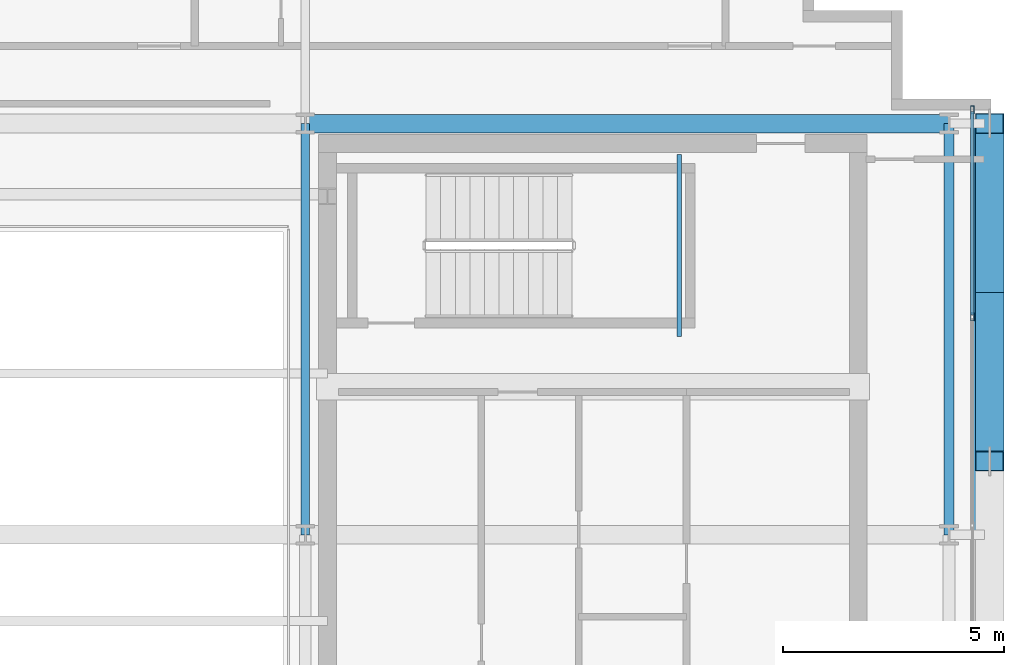
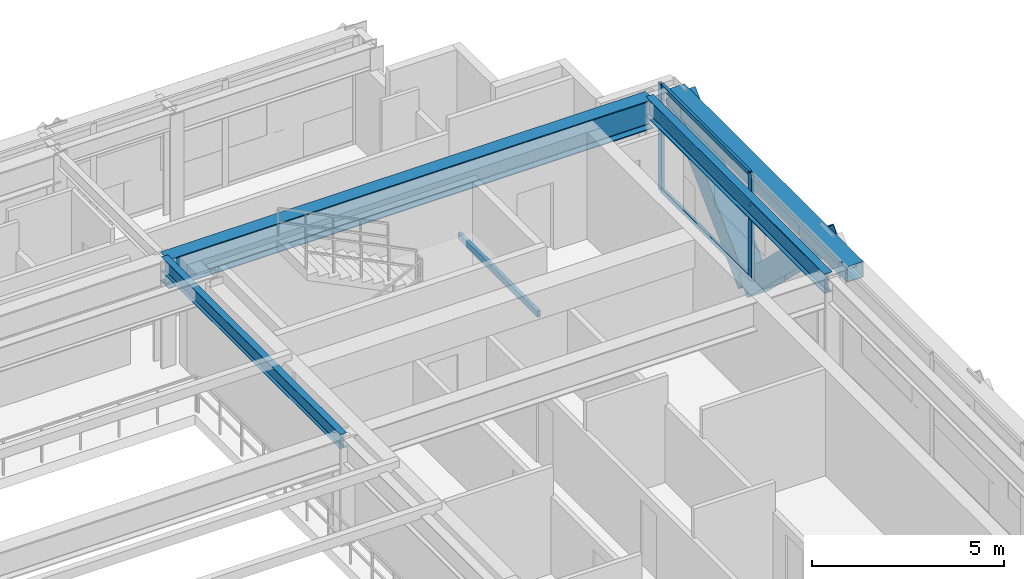
# One storey, part 14 of 29: 7 members, 5 beams, 1 element without a shape of its own.
"""IFC4 building model written with IfcOpenShell, lengths in metres."""

from ifc_helpers import new_model, si_unit, direction, frame, origin, origin_2d, place, context, subcontext, project, spatial, hollow_rectangle, i_section, extrude, source, transform, mapped, material, layer, layer_set, material_profile, profile_set, type_object, element, aggregate, save


model = new_model("IFC4")

# Units and contexts
model_context = context("Model", 3, precision=1e-05, world=origin(), true_north=direction((0.0, 1.0)))
body_context = subcontext(model_context, "Body", "Model", "MODEL_VIEW")
ifc_project = project(units=[si_unit("LENGTHUNIT", "METRE"), si_unit("AREAUNIT", "SQUARE_METRE"), si_unit("VOLUMEUNIT", "CUBIC_METRE"), si_unit("PLANEANGLEUNIT", "RADIAN"), si_unit("MASSUNIT", "GRAM", prefix="KILO")], contexts=[model_context])

# Site, building, storey
site_placement = place(None, origin())
site = spatial("IfcSite", under=ifc_project, at=site_placement, CompositionType="ELEMENT")
building_placement = place(site_placement, origin())
building = spatial("IfcBuilding", under=site, at=building_placement, Name="Ocotamira Hotel", CompositionType="ELEMENT")
storey_placement = place(building_placement, frame((0.0, 0.0, 247.199951171875)))
storey = spatial("IfcBuildingStorey", under=building, at=storey_placement, Name="L62", CompositionType="ELEMENT", Elevation=247.199951171875)

# Beams
ifc_material_1 = material(Name="Steel ASTM A500 Grade C", Category="steel")
ifc_material_profile_1 = material_profile(ifc_material_1, hollow_rectangle(XDim=0.10009765625, YDim=0.199951171875, WallThickness=0.008056640625, at=origin_2d()), Name="HSS200X100X8")
ifc_profile_set_1 = profile_set([ifc_material_profile_1], Name="Steel ASTM A500 Grade C")
beam_type_1 = type_object("IfcBeamType", Name="BM-STLDG-HSS200", PredefinedType="BEAM", material=ifc_profile_set_1)
shared_shape_1 = source(origin(), body_context, "Body", "SweptSolid", [
    extrude(hollow_rectangle(XDim=0.10009765625, YDim=0.199951171875, WallThickness=0.008056640625, at=origin_2d()), origin(), (0.0, 0.0, 1.0), 4.1201171875),
])
beam_1_placement = place(storey_placement, frame((48.949951171875, 32.6298828125, 1.5), z_axis=(0.0, 1.0, 0.0), x_axis=(-1.0, 0.0, 0.0)))
element("IfcBeam", 1, at=beam_1_placement, inside=storey, type_object=beam_type_1, Name="L62 Stair ST-4 Landing Bearer 1", PredefinedType="BEAM", context=body_context, shape_type="MappedRepresentation", body=[
    mapped(shared_shape_1, transform((0.0, 0.0, 0.0), scale=1.0)),
])
ifc_material_2 = material(Name="Steel ASTM A992 Grade 50", Category="steel")
ifc_material_profile_2 = material_profile(ifc_material_2, i_section(OverallWidth=0.41796875, OverallDepth=0.927001953125, WebThickness=0.019287109375, FlangeThickness=0.031982421875, FilletRadius=0.02392578125, at=origin_2d()), Name="W36X231")
ifc_profile_set_2 = profile_set([ifc_material_profile_2], Name="Steel ASTM A992 Grade 50")
beam_type_2 = type_object("IfcBeamType", Name="BM-GIRD-W36X231", PredefinedType="BEAM", material=ifc_profile_set_2)
shared_shape_2 = source(origin(), body_context, "Body", "SweptSolid", [
    extrude(i_section(OverallWidth=0.41796875, OverallDepth=0.927001953125, WebThickness=0.019287109375, FlangeThickness=0.031982421875, FilletRadius=0.02392578125, at=origin_2d()), origin(), (0.0, 0.0, 1.0), 14.550048828125),
])
beam_2_placement = place(storey_placement, frame((40.5, 37.449951171875, 2.91650390625), z_axis=(1.0, 0.0, 0.0), x_axis=(0.0, 1.0, 0.0)))
element("IfcBeam", 2, at=beam_2_placement, inside=storey, type_object=beam_type_2, Name="L62 Girder Y37.45 X40.5-55.05", PredefinedType="BEAM", context=body_context, shape_type="MappedRepresentation", body=[
    mapped(shared_shape_2, transform((0.0, 0.0, 0.0), scale=1.0)),
])
ifc_material_profile_3 = material_profile(ifc_material_2, i_section(OverallWidth=0.22998046875, OverallDepth=0.616943359375, WebThickness=0.01318359375, FlangeThickness=0.022216796875, FilletRadius=0.012939453125, at=origin_2d()), Name="W24X94")
ifc_profile_set_3 = profile_set([ifc_material_profile_3], Name="Steel ASTM A992 Grade 50")
beam_type_3 = type_object("IfcBeamType", Name="BM-PRIM-W24X94", PredefinedType="BEAM", material=ifc_profile_set_3)
shared_shape_3 = source(origin(), body_context, "Body", "SweptSolid", [
    extrude(i_section(OverallWidth=0.22998046875, OverallDepth=0.616943359375, WebThickness=0.01318359375, FlangeThickness=0.022216796875, FilletRadius=0.012939453125, at=origin_2d()), origin(), (0.0, 0.0, 1.0), 9.300048828125),
])
beam_3_placement = place(storey_placement, frame((55.050048828125, 28.14990234375, 3.071533203125), z_axis=(0.0, 1.0, 0.0), x_axis=(-1.0, 0.0, 0.0)))
element("IfcBeam", 3, at=beam_3_placement, inside=storey, type_object=beam_type_3, Name="L62 Beam X55.05 Y28.15-37.45", PredefinedType="BEAM", context=body_context, shape_type="MappedRepresentation", body=[
    mapped(shared_shape_3, transform((0.0, 0.0, 0.0), scale=1.0)),
])
ifc_material_profile_4 = material_profile(ifc_material_2, i_section(OverallWidth=0.18994140625, OverallDepth=0.45703125, WebThickness=0.009033203125, FlangeThickness=0.014404296875, FilletRadius=0.010009765625, at=origin_2d()), Name="W18X50")
ifc_profile_set_4 = profile_set([ifc_material_profile_4], Name="Steel ASTM A992 Grade 50")
beam_type_4 = type_object("IfcBeamType", Name="BM-SEC-W18X50", PredefinedType="JOIST", material=ifc_profile_set_4)
shared_shape_4 = source(origin(), body_context, "Body", "SweptSolid", [
    extrude(i_section(OverallWidth=0.18994140625, OverallDepth=0.45703125, WebThickness=0.009033203125, FlangeThickness=0.014404296875, FilletRadius=0.010009765625, at=origin_2d()), origin(), (0.0, 0.0, 1.0), 9.300048828125),
])
beam_4_placement = place(storey_placement, frame((40.5, 28.14990234375, 3.151611328125), z_axis=(0.0, 1.0, 0.0), x_axis=(-1.0, 0.0, 0.0)))
element("IfcBeam", 4, at=beam_4_placement, inside=storey, type_object=beam_type_4, Name="L62 Beam X40.5 Y28.15-37.45", PredefinedType="JOIST", context=body_context, shape_type="MappedRepresentation", body=[
    mapped(shared_shape_4, transform((0.0, 0.0, 0.0), scale=1.0)),
])
ifc_material_profile_5 = material_profile(ifc_material_1, hollow_rectangle(XDim=0.5, YDim=0.5, WallThickness=0.02001953125, at=origin_2d()), Name="HSS500X500X20")
ifc_profile_set_5 = profile_set([ifc_material_profile_5], Name="Steel ASTM A500 Grade C")
beam_type_5 = type_object("IfcBeamType", Name="BM-SPAN-HSS500", PredefinedType="USERDEFINED", material=ifc_profile_set_5)
shared_shape_5 = source(origin(), body_context, "Body", "SweptSolid", [
    extrude(hollow_rectangle(XDim=0.5, YDim=0.5, WallThickness=0.02001953125, at=origin_2d()), origin(), (0.0, 0.0, 1.0), 9.300048828125),
])
beam_5_placement = place(storey_placement, frame((55.85009765625, 28.14990234375, 3.130126953125), z_axis=(0.0, 1.0, 0.0), x_axis=(-1.0, 0.0, 0.0)))
element("IfcBeam", 5, at=beam_5_placement, inside=storey, type_object=beam_type_5, Name="L62 Edge Spandrel E Y28.15-37.45", ObjectType="SPANDREL", PredefinedType="USERDEFINED", context=body_context, shape_type="MappedRepresentation", body=[
    mapped(shared_shape_5, transform((0.0, 0.0, 0.0), scale=1.0)),
])

# Members
ifc_material_3 = material(Name="Pale-metal coated steel ASTM A913 Grade 65", Category="steel")
ifc_material_profile_6 = material_profile(ifc_material_3, hollow_rectangle(XDim=0.64990234375, YDim=0.64990234375, WallThickness=0.02197265625, at=origin_2d()), Name="BOX650X650X22")
ifc_profile_set_6 = profile_set([ifc_material_profile_6], Name="Pale-metal coated steel ASTM A913 Grade 65")
member_type_1 = type_object("IfcMemberType", Name="MEM-EXO-BOX650", PredefinedType="BRACE", material=ifc_profile_set_6)
shared_shape_6 = source(origin(), body_context, "Body", "SweptSolid", [
    extrude(hollow_rectangle(XDim=0.64990234375, YDim=0.64990234375, WallThickness=0.02197265625, at=origin_2d()), origin(), (0.0, 0.0, 1.0), 5.31591796875),
])
for number, where, z_axis, x_axis, name in (
    (6, (55.969970703125, 33.63330078125, -0.570068359375), (0.0, -0.717975506843, 0.696068367026), (1.0, 0.0, 0.0), "L62 Exoskeleton Diagrid E2.1"),
    (7, (55.969970703125, 33.63330078125, -0.570068359375), (0.0, 0.717975506843, 0.696068367026), (-1.0, 0.0, 0.0), "L62 Exoskeleton Diagrid E2.2"),
):
    element("IfcMember", number, at=place(storey_placement, frame(where, z_axis=z_axis, x_axis=x_axis)), inside=storey, type_object=member_type_1, Name=name, PredefinedType="BRACE", context=body_context, shape_type="MappedRepresentation", body=[
        mapped(shared_shape_6, transform((0.0, 0.0, 0.0), scale=1.0)),
    ])

# Curtain wall, members
ifc_material_4 = material(Name="Anodised pale-metal aluminium and solar glass", Category="aluminium")
ifc_layer = layer(ifc_material_4, 0.239990234375)
ifc_layer_set = layer_set([ifc_layer], Name="Anodised pale-metal aluminium and solar glass")
curtain_wall_type = type_object("IfcCurtainWallType", Name="CW-SYS5-SKY", PredefinedType="NOTDEFINED", material=ifc_layer_set)
curtain_wall_placement = place(storey_placement, origin())
curtain_wall = element("IfcCurtainWall", 8, at=curtain_wall_placement, inside=storey, type_object=curtain_wall_type, Name="L62 Curtain Wall CW-5 CW-L62-E", PredefinedType="NOTDEFINED")
ifc_material_5 = material(Name="Anodised pale-metal aluminium 6063-T6", Category="aluminium")
ifc_material_profile_7 = material_profile(ifc_material_5, hollow_rectangle(XDim=0.074951171875, YDim=0.14990234375, WallThickness=0.006103515625, at=origin_2d()), Name="HSS150X75X6")
ifc_profile_set_7 = profile_set([ifc_material_profile_7], Name="Anodised pale-metal aluminium 6063-T6")
member_type_2 = type_object("IfcMemberType", Name="CWT-150X75", PredefinedType="USERDEFINED", material=ifc_profile_set_7)
shared_shape_7 = source(origin(), body_context, "Body", "SweptSolid", [
    extrude(hollow_rectangle(XDim=0.074951171875, YDim=0.14990234375, WallThickness=0.006103515625, at=origin_2d()), origin(), (0.0, 0.0, 1.0), 4.599853515625),
])
member_1_placement = place(storey_placement, frame((55.580078125, 33.1201171875, 0.03759765625), z_axis=(0.0, 1.0, 0.0), x_axis=(-1.0, 0.0, 0.0)))
member_1 = element("IfcMember", 9, at=member_1_placement, type_object=member_type_2, Name="CW-5 transom 5.1", ObjectType="TRANSOM", PredefinedType="USERDEFINED", context=body_context, shape_type="MappedRepresentation", body=[
    mapped(shared_shape_7, transform((0.0, 0.0, 0.0), scale=1.0)),
])
member_2_placement = place(storey_placement, frame((55.580078125, 33.1201171875, 2.35009765625), z_axis=(0.0, 1.0, 0.0), x_axis=(-1.0, 0.0, 0.0)))
member_2 = element("IfcMember", 10, at=member_2_placement, type_object=member_type_2, Name="CW-5 transom 5.2", ObjectType="TRANSOM", PredefinedType="USERDEFINED", context=body_context, shape_type="MappedRepresentation", body=[
    mapped(shared_shape_7, transform((0.0, 0.0, 0.0), scale=1.0)),
])
member_3_placement = place(storey_placement, frame((55.580078125, 33.1201171875, 3.342529296875), z_axis=(0.0, 1.0, 0.0), x_axis=(-1.0, 0.0, 0.0)))
member_3 = element("IfcMember", 11, at=member_3_placement, type_object=member_type_2, Name="CW-5 transom 5.3", ObjectType="TRANSOM", PredefinedType="USERDEFINED", context=body_context, shape_type="MappedRepresentation", body=[
    mapped(shared_shape_7, transform((0.0, 0.0, 0.0), scale=1.0)),
])
ifc_material_profile_8 = material_profile(ifc_material_5, hollow_rectangle(XDim=0.080078125, YDim=0.179931640625, WallThickness=0.006103515625, at=origin_2d()), Name="HSS180X80X6")
ifc_profile_set_8 = profile_set([ifc_material_profile_8], Name="Anodised pale-metal aluminium 6063-T6")
member_type_3 = type_object("IfcMemberType", Name="CWM-180X75", PredefinedType="MULLION", material=ifc_profile_set_8)
shared_shape_8 = source(origin(), body_context, "Body", "SweptSolid", [
    extrude(hollow_rectangle(XDim=0.080078125, YDim=0.179931640625, WallThickness=0.006103515625, at=origin_2d()), origin(), (0.0, 0.0, 1.0), 3.380126953125),
])
member_4_placement = place(storey_placement, frame((55.580078125, 33.080078125, 0.0), z_axis=(0.0, 0.0, 1.0), x_axis=(-1.0, 0.0, 0.0)))
member_4 = element("IfcMember", 12, at=member_4_placement, type_object=member_type_3, Name="CW-5 mullion 5", PredefinedType="MULLION", context=body_context, shape_type="MappedRepresentation", body=[
    mapped(shared_shape_8, transform((0.0, 0.0, 0.0), scale=1.0)),
])
member_5_placement = place(storey_placement, frame((55.580078125, 37.760009765625, 0.0), z_axis=(0.0, 0.0, 1.0), x_axis=(-1.0, 0.0, 0.0)))
member_5 = element("IfcMember", 13, at=member_5_placement, type_object=member_type_3, Name="CW-5 mullion 6", PredefinedType="MULLION", context=body_context, shape_type="MappedRepresentation", body=[
    mapped(shared_shape_8, transform((0.0, 0.0, 0.0), scale=1.0)),
])
aggregate(curtain_wall, [member_4, member_5, member_1, member_2, member_3])

save(model, "model.ifc")
